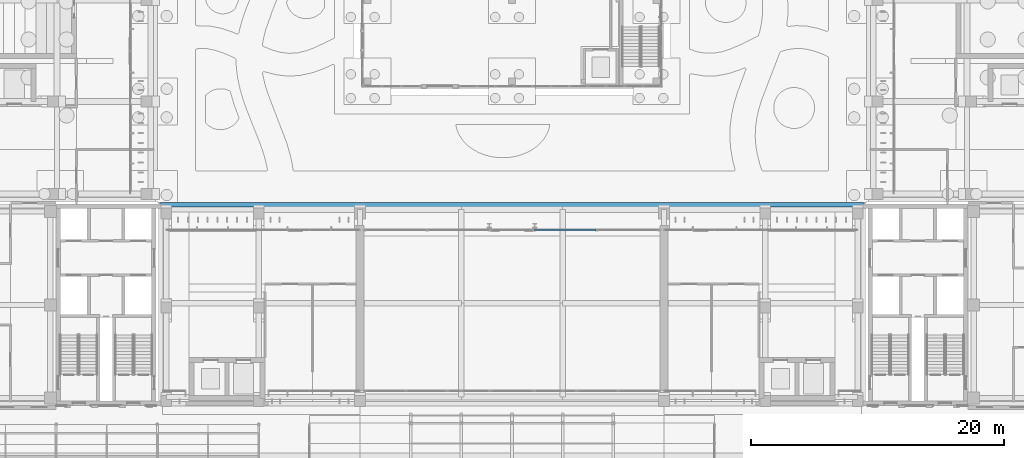
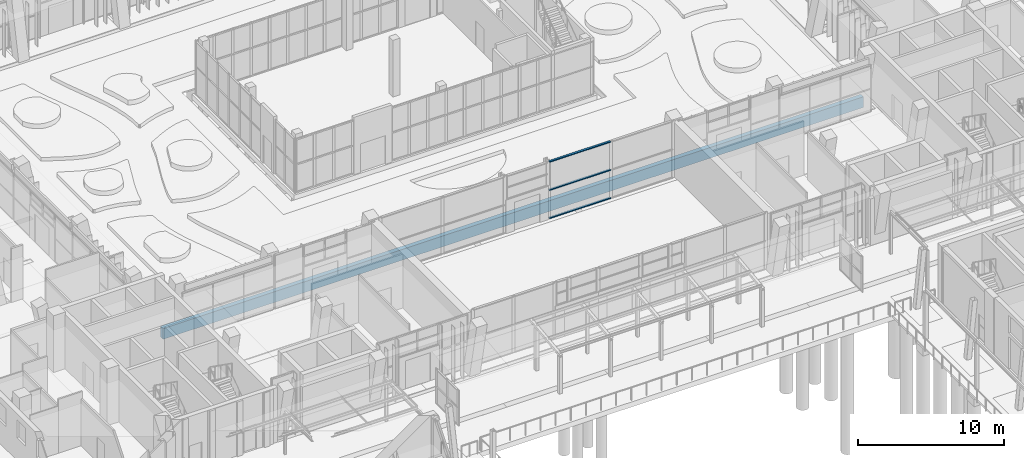
# One storey, part 54 of 144: 3 members, 1 beam, 1 element without a shape of its own.
"""IFC4 building model written with IfcOpenShell, lengths in metres."""

from ifc_helpers import new_model, si_unit, direction, frame, origin, origin_2d, place, context, subcontext, project, spatial, rectangle, extrude, material, material_profile, profile_set, type_object, element, aggregate, save


model = new_model("IFC4")

# Units and contexts
model_context = context("Model", 3, precision=1e-05, world=origin(), true_north=direction((0.0, 1.0)))
body_context = subcontext(model_context, "Body", "Model", "MODEL_VIEW")
ifc_project = project(units=[si_unit("LENGTHUNIT", "METRE"), si_unit("AREAUNIT", "SQUARE_METRE"), si_unit("VOLUMEUNIT", "CUBIC_METRE"), si_unit("PLANEANGLEUNIT", "RADIAN"), si_unit("MASSUNIT", "GRAM", prefix="KILO")], contexts=[model_context])

# Site, building, storey
site_placement = place(None, origin())
site = spatial("IfcSite", under=ifc_project, at=site_placement, CompositionType="ELEMENT")
building_placement = place(site_placement, origin())
building = spatial("IfcBuilding", under=site, at=building_placement, Name="Lantern Court Media Centre", CompositionType="ELEMENT")
storey_placement = place(building_placement, origin())
storey = spatial("IfcBuildingStorey", under=building, at=storey_placement, Name="L00", CompositionType="ELEMENT", Elevation=0.0)

# Curtain wall, members
ifc_material_1 = material(Name="Curtain wall bay 4000")
curtain_wall_type = type_object("IfcCurtainWallType", Name="Curtain wall bay 4000", PredefinedType="NOTDEFINED", material=ifc_material_1)
curtain_wall_placement = place(storey_placement, origin())
curtain_wall = element("IfcCurtainWall", 1, at=curtain_wall_placement, inside=storey, type_object=curtain_wall_type, Name="Curtain wall S inner L00", PredefinedType="NOTDEFINED")
ifc_material_2 = material(Name="Anodised aluminium", Category="aluminium")
ifc_material_profile_1 = material_profile(ifc_material_2, rectangle(XDim=0.159912109375, YDim=0.080078125, at=origin_2d()), Name="AL 80x160")
ifc_profile_set_1 = profile_set([ifc_material_profile_1], Name="Anodised aluminium")
member_type = type_object("IfcMemberType", Name="Curtain wall transom 160x80", PredefinedType="USERDEFINED", material=ifc_profile_set_1)
member_1_placement = place(storey_placement, frame((53.780029296875, 61.85009765625, 0.0400390625), z_axis=(1.0, 0.0, 0.0), x_axis=(0.0, 1.0, 0.0)))
member_1 = element("IfcMember", 2, at=member_1_placement, type_object=member_type, Name="CW3 transom 1.1", ObjectType="TRANSOM", PredefinedType="USERDEFINED", context=body_context, shape_type="SweptSolid", body=[
    extrude(rectangle(XDim=0.159912109375, YDim=0.080078125, at=origin_2d()), origin(), (0.0, 0.0, 1.0), 4.85498046875),
])
member_2_placement = place(storey_placement, frame((53.780029296875, 61.85009765625, 2.39990234375), z_axis=(1.0, 0.0, 0.0), x_axis=(0.0, 1.0, 0.0)))
member_2 = element("IfcMember", 3, at=member_2_placement, type_object=member_type, Name="CW3 transom 1.2", ObjectType="TRANSOM", PredefinedType="USERDEFINED", context=body_context, shape_type="SweptSolid", body=[
    extrude(rectangle(XDim=0.159912109375, YDim=0.080078125, at=origin_2d()), origin(), (0.0, 0.0, 1.0), 4.85498046875),
])
member_3_placement = place(storey_placement, frame((53.780029296875, 61.85009765625, 4.760009765625), z_axis=(1.0, 0.0, 0.0), x_axis=(0.0, 1.0, 0.0)))
member_3 = element("IfcMember", 4, at=member_3_placement, type_object=member_type, Name="CW3 transom 1.3", ObjectType="TRANSOM", PredefinedType="USERDEFINED", context=body_context, shape_type="SweptSolid", body=[
    extrude(rectangle(XDim=0.159912109375, YDim=0.080078125, at=origin_2d()), origin(), (0.0, 0.0, 1.0), 4.85498046875),
])
aggregate(curtain_wall, [member_1, member_2, member_3])

# Beam
ifc_material_3 = material(Name="Concrete C35", Category="concrete")
ifc_material_profile_2 = material_profile(ifc_material_3, rectangle(XDim=0.35009765625, YDim=0.89990234375, at=origin_2d()), Name="RC 350x900")
ifc_profile_set_2 = profile_set([ifc_material_profile_2], Name="Concrete C35")
beam_type = type_object("IfcBeamType", Name="RC BEAM 350x900", PredefinedType="BEAM", material=ifc_profile_set_2)
beam_placement = place(storey_placement, frame((24.25, 63.85009765625, -0.449951171875), z_axis=(1.0, 0.0, 0.0), x_axis=(0.0, 1.0, 0.0)))
element("IfcBeam", 5, at=beam_placement, inside=storey, type_object=beam_type, Name="EB-S-L00-B", PredefinedType="BEAM", context=body_context, shape_type="SweptSolid", body=[
    extrude(rectangle(XDim=0.35009765625, YDim=0.89990234375, at=origin_2d()), origin(), (0.0, 0.0, 1.0), 55.5),
])

save(model, "model.ifc")
